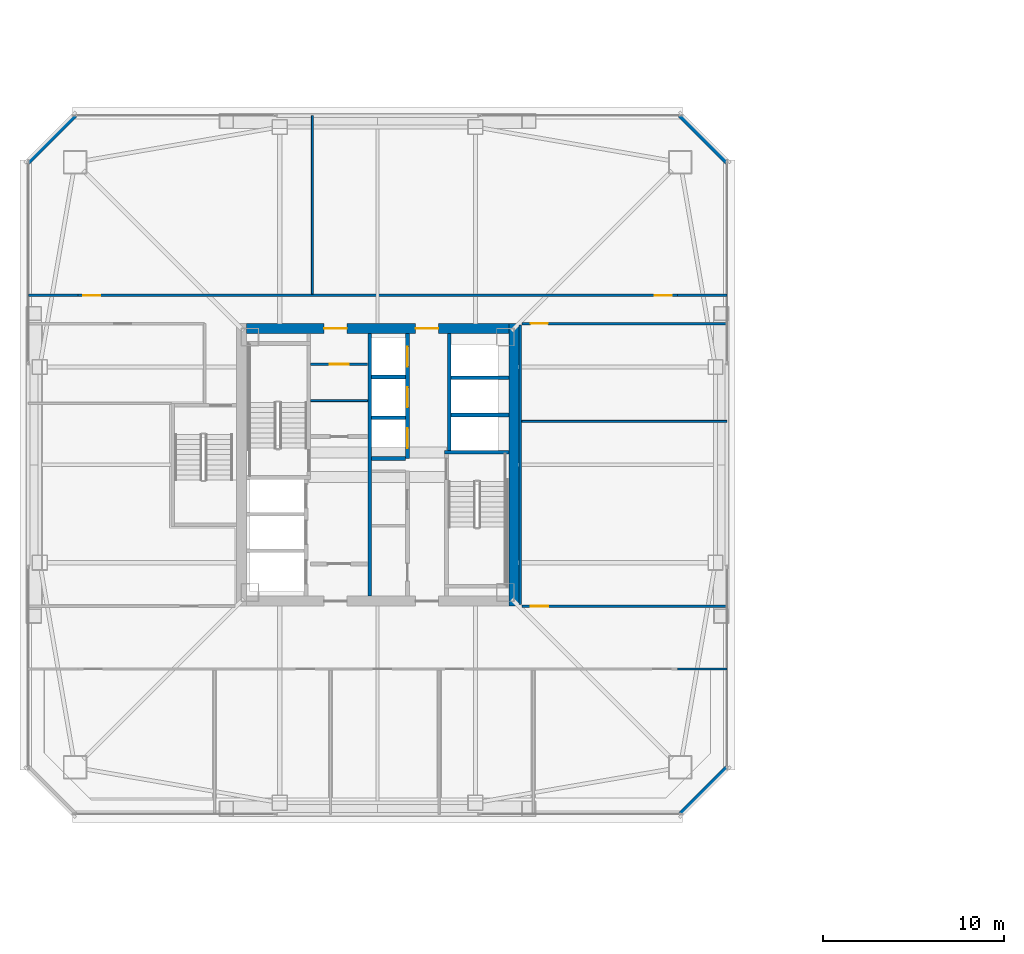
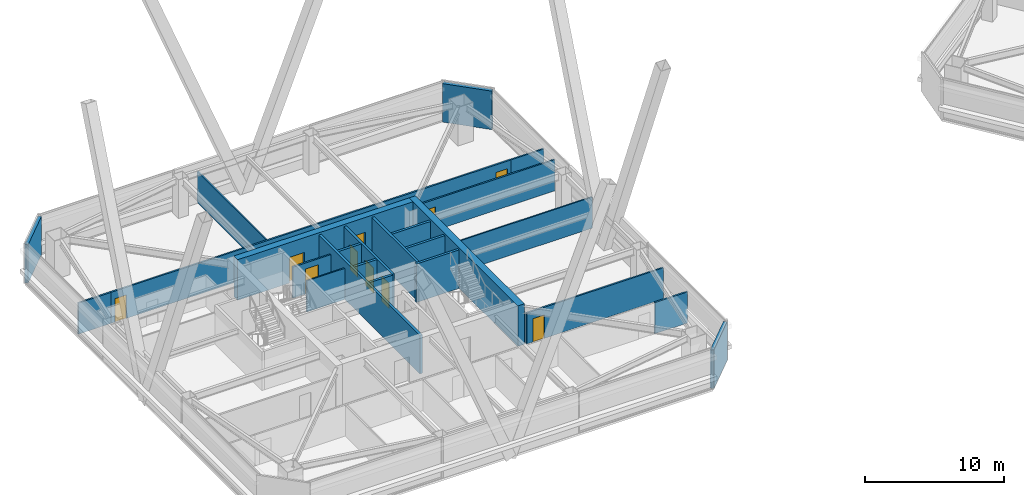
# One storey, part 41 of 50: 25 walls, 10 doors, 10 openings.
"""IFC4 building model written with IfcOpenShell, lengths in metres."""

from ifc_helpers import new_model, si_unit, direction, frame, frame_2d, origin, place, context, subcontext, project, spatial, rectangle, extrude, material, layer, layer_set, type_object, element, fill, save


model = new_model("IFC4")

# Units and contexts
model_context = context("Model", 3, precision=1e-05, world=origin(), true_north=direction((0.0, 1.0)))
body_context = subcontext(model_context, "Body", "Model", "MODEL_VIEW")
ifc_project = project(units=[si_unit("LENGTHUNIT", "METRE"), si_unit("AREAUNIT", "SQUARE_METRE"), si_unit("VOLUMEUNIT", "CUBIC_METRE"), si_unit("PLANEANGLEUNIT", "RADIAN"), si_unit("MASSUNIT", "GRAM", prefix="KILO")], contexts=[model_context])

# Site, building, storey
site_placement = place(None, origin())
site = spatial("IfcSite", under=ifc_project, at=site_placement, CompositionType="ELEMENT")
building_placement = place(site_placement, origin())
building = spatial("IfcBuilding", under=site, at=building_placement, Name="Tashvorn Skyway Center", CompositionType="ELEMENT")
storey_placement = place(building_placement, frame((0.0, 0.0, 114.39990234375)))
storey = spatial("IfcBuildingStorey", under=building, at=storey_placement, Name="L30", CompositionType="ELEMENT", Elevation=114.39990234375)

# Wall
ifc_material_1 = material(Name="Concrete C60/75", Category="concrete")
ifc_layer_1 = layer(ifc_material_1, 0.550048828125)
ifc_layer_set_1 = layer_set([ifc_layer_1], Name="Concrete C60/75")
wall_type_1 = type_object("IfcWallType", Name="WALL-CORE-550", PredefinedType="SHEAR", material=ifc_layer_set_1)
wall_1_placement = place(storey_placement, frame((49.52490234375, 39.800048828125, 0.0), z_axis=(0.0, 0.0, 1.0), x_axis=(0.0, -1.0, 0.0)))
element("IfcWall", 1, at=wall_1_placement, inside=storey, type_object=wall_type_1, Name="Tower 1 L30 East Core Shear Wall", PredefinedType="SHEAR", context=body_context, shape_type="SweptSolid", body=[
    extrude(rectangle(XDim=15.60009765625, YDim=0.550048828125, at=frame_2d((7.800048828125, 0.0))), origin(), (0.0, 0.0, 1.0), 3.550048828125),
])

# Wall, openings, doors
wall_2_placement = place(storey_placement, frame((34.75, 39.52490234375, 0.0), z_axis=(0.0, 0.0, 1.0), x_axis=(1.0, 0.0, 0.0)))
wall_2 = element("IfcWall", 2, at=wall_2_placement, inside=storey, type_object=wall_type_1, Name="Tower 1 L30 North Core Shear Wall", PredefinedType="SHEAR", context=body_context, shape_type="SweptSolid", body=[
    extrude(rectangle(XDim=14.5, YDim=0.550048828125, at=frame_2d((7.25, 0.0))), origin(), (0.0, 0.0, 1.0), 3.550048828125),
])
opening_1_placement = place(wall_2_placement, frame((4.300048828125, 0.0, 0.0)))
opening_1 = element("IfcOpeningElement", 3, at=opening_1_placement, cuts=wall_2, Name="Opening D-FFL-1250", PredefinedType="OPENING", context=body_context, shape_type="SweptSolid", body=[
    extrude(rectangle(XDim=1.25, YDim=2.25, at=frame_2d((0.625, 1.125))), frame((0.0, 0.284912109375, 0.0), z_axis=(0.0, -1.0, 0.0), x_axis=(1.0, 0.0, 0.0)), (0.0, 0.0, 1.0), 0.570068359375),
])
opening_2_placement = place(wall_2_placement, frame((9.35009765625, 0.0, 0.0)))
opening_2 = element("IfcOpeningElement", 4, at=opening_2_placement, cuts=wall_2, Name="Opening D-FFL-1250", PredefinedType="OPENING", context=body_context, shape_type="SweptSolid", body=[
    extrude(rectangle(XDim=1.25, YDim=2.25, at=frame_2d((0.625, 1.125))), frame((0.0, 0.284912109375, 0.0), z_axis=(0.0, -1.0, 0.0), x_axis=(1.0, 0.0, 0.0)), (0.0, 0.0, 1.0), 0.570068359375),
])
ifc_material_2 = material(Name="Hollow galvanized steel fire door assembly", Category="steel")
door_type_1 = type_object("IfcDoorType", Name="DOOR-FFL-1250", OperationType="NOTDEFINED", PredefinedType="DOOR", material=ifc_material_2)
door_1_placement = place(opening_1_placement, origin())
door_1 = element("IfcDoor", 5, at=door_1_placement, inside=storey, type_object=door_type_1, Name="Tower 1 L30 Core North Service Lobby Door", OperationType="SINGLE_SWING_LEFT", OverallHeight=2.25, OverallWidth=1.25, PredefinedType="DOOR", context=body_context, shape_type="SweptSolid", body=[
    extrude(rectangle(XDim=1.25, YDim=2.25, at=frame_2d((0.625, 1.125))), frame((0.0, 0.02490234375, 0.0), z_axis=(0.0, -1.0, 0.0), x_axis=(1.0, 0.0, 0.0)), (0.0, 0.0, 1.0), 0.050048828125),
])
fill(opening_1, door_1)
door_2_placement = place(opening_2_placement, origin())
door_2 = element("IfcDoor", 6, at=door_2_placement, inside=storey, type_object=door_type_1, Name="Tower 1 L30 Core North Lift Lobby Door", OperationType="SINGLE_SWING_RIGHT", OverallHeight=2.25, OverallWidth=1.25, PredefinedType="DOOR", context=body_context, shape_type="SweptSolid", body=[
    extrude(rectangle(XDim=1.25, YDim=2.25, at=frame_2d((0.625, 1.125))), frame((0.0, 0.02490234375, 0.0), z_axis=(0.0, -1.0, 0.0), x_axis=(1.0, 0.0, 0.0)), (0.0, 0.0, 1.0), 0.050048828125),
])
fill(opening_2, door_2)

# Walls
ifc_material_3 = material(Name="Precast concrete C40/50", Category="concrete")
ifc_layer_2 = layer(ifc_material_3, 0.280029296875)
ifc_layer_set_2 = layer_set([ifc_layer_2], Name="Precast concrete C40/50")
wall_type_2 = type_object("IfcWallType", Name="WALL-EXT-280", PredefinedType="SOLIDWALL", material=ifc_layer_set_2)
for number, where, z_axis, x_axis, name in (
    (7, (22.699951171875, 48.699951171875, 0.0), (0.0, 0.0, 1.0), (0.707106781187, 0.707106781187, 0.0), "Tower 1 L30 NW Precast Chamfer Wall"),
    (8, (58.699951171875, 51.300048828125, 0.0), (0.0, 0.0, 1.0), (0.707106781187, -0.707106781187, 0.0), "Tower 1 L30 NE Precast Chamfer Wall"),
    (9, (61.300048828125, 15.300048828125, 0.0), (0.0, 0.0, 1.0), (-0.707106781187, -0.707106781187, 0.0), "Tower 1 L30 SE Precast Chamfer Wall"),
):
    element("IfcWall", number, at=place(storey_placement, frame(where, z_axis=z_axis, x_axis=x_axis)), inside=storey, type_object=wall_type_2, Name=name, PredefinedType="SOLIDWALL", context=body_context, shape_type="SweptSolid", body=[
        extrude(rectangle(XDim=3.677001953125, YDim=0.280029296875, at=frame_2d((1.83837890625, 0.0))), origin(), (0.0, 0.0, 1.0), 3.3701171875),
    ])
ifc_material_4 = material(Name="Gypsum board on cold-formed steel stud framing", Category="steel")
ifc_layer_3 = layer(ifc_material_4, 0.110107421875)
ifc_layer_set_3 = layer_set([ifc_layer_3], Name="Gypsum board on cold-formed steel stud framing")
wall_type_3 = type_object("IfcWallType", Name="WALL-PART-110", PredefinedType="PARTITIONING", material=ifc_layer_set_3)
wall_3_placement = place(storey_placement, frame((38.39990234375, 41.429931640625, 0.0), z_axis=(0.0, 0.0, 1.0), x_axis=(0.0, 1.0, 0.0)))
element("IfcWall", 10, at=wall_3_placement, inside=storey, type_object=wall_type_3, Name="Tower 1 L30 North Suite Partition 1", PredefinedType="PARTITIONING", context=body_context, shape_type="SweptSolid", body=[
    extrude(rectangle(XDim=9.85009765625, YDim=0.110107421875, at=frame_2d((4.925048828125, 0.0))), origin(), (0.0, 0.0, 1.0), 2.72314453125),
])
wall_4_placement = place(storey_placement, frame((49.9599609375, 34.39990234375, 0.0), z_axis=(0.0, 0.0, 1.0), x_axis=(1.0, 0.0, 0.0)))
element("IfcWall", 11, at=wall_4_placement, inside=storey, type_object=wall_type_3, Name="Tower 1 L30 East Mid Partition", PredefinedType="PARTITIONING", context=body_context, shape_type="SweptSolid", body=[
    extrude(rectangle(XDim=11.320068359375, YDim=0.110107421875, at=frame_2d((5.66015625, 0.0))), origin(), (0.0, 0.0, 1.0), 2.72314453125),
])

# Wall, openings, doors
ifc_layer_4 = layer(ifc_material_4, 0.135009765625)
ifc_layer_set_4 = layer_set([ifc_layer_4], Name="Gypsum board on cold-formed steel stud framing")
wall_type_4 = type_object("IfcWallType", Name="WALL-PART-135", PredefinedType="PARTITIONING", material=ifc_layer_set_4)
wall_5_placement = place(storey_placement, frame((25.449951171875, 41.35009765625, 0.0), z_axis=(0.0, 0.0, 1.0), x_axis=(1.0, 0.0, 0.0)))
wall_5 = element("IfcWall", 12, at=wall_5_placement, inside=storey, type_object=wall_type_4, Name="Tower 1 L30 North Suite Wall", PredefinedType="PARTITIONING", context=body_context, shape_type="SweptSolid", body=[
    extrude(rectangle(XDim=33.10009765625, YDim=0.135009765625, at=frame_2d((16.550048828125, 0.0))), origin(), (0.0, 0.0, 1.0), 2.72314453125),
])
opening_3_placement = place(wall_5_placement, frame((0.300048828125, 0.0, 0.0)))
opening_3 = element("IfcOpeningElement", 13, at=opening_3_placement, cuts=wall_5, Name="Opening D-INT-950", PredefinedType="OPENING", context=body_context, shape_type="SweptSolid", body=[
    extrude(rectangle(XDim=0.949951171875, YDim=2.050048828125, at=frame_2d((0.47509765625, 1.02490234375))), frame((0.0, 0.077392578125, 0.0), z_axis=(0.0, -1.0, 0.0), x_axis=(1.0, 0.0, 0.0)), (0.0, 0.0, 1.0), 0.155029296875),
])
opening_4_placement = place(wall_5_placement, frame((31.85009765625, 0.0, 0.0)))
opening_4 = element("IfcOpeningElement", 14, at=opening_4_placement, cuts=wall_5, Name="Opening D-INT-950", PredefinedType="OPENING", context=body_context, shape_type="SweptSolid", body=[
    extrude(rectangle(XDim=0.949951171875, YDim=2.050048828125, at=frame_2d((0.47509765625, 1.02490234375))), frame((0.0, 0.077392578125, 0.0), z_axis=(0.0, -1.0, 0.0), x_axis=(1.0, 0.0, 0.0)), (0.0, 0.0, 1.0), 0.155029296875),
])
ifc_material_5 = material(Name="Solid-core architectural oak veneer door")
door_type_2 = type_object("IfcDoorType", Name="DOOR-INT-950", OperationType="NOTDEFINED", PredefinedType="DOOR", material=ifc_material_5)
door_3_placement = place(opening_3_placement, origin())
door_3 = element("IfcDoor", 15, at=door_3_placement, inside=storey, type_object=door_type_2, Name="Tower 1 L30 Executive Study Lounge Door", OperationType="SINGLE_SWING_LEFT", OverallHeight=2.050048828125, OverallWidth=0.949951171875, PredefinedType="DOOR", context=body_context, shape_type="SweptSolid", body=[
    extrude(rectangle(XDim=0.949951171875, YDim=2.050048828125, at=frame_2d((0.47509765625, 1.02490234375))), frame((0.0, 0.02490234375, 0.0), z_axis=(0.0, -1.0, 0.0), x_axis=(1.0, 0.0, 0.0)), (0.0, 0.0, 1.0), 0.050048828125),
])
fill(opening_3, door_3)
door_4_placement = place(opening_4_placement, origin())
door_4 = element("IfcDoor", 16, at=door_4_placement, inside=storey, type_object=door_type_2, Name="Tower 1 L30 Executive Study Lounge Door", OperationType="SINGLE_SWING_RIGHT", OverallHeight=2.050048828125, OverallWidth=0.949951171875, PredefinedType="DOOR", context=body_context, shape_type="SweptSolid", body=[
    extrude(rectangle(XDim=0.949951171875, YDim=2.050048828125, at=frame_2d((0.47509765625, 1.02490234375))), frame((0.0, 0.02490234375, 0.0), z_axis=(0.0, -1.0, 0.0), x_axis=(1.0, 0.0, 0.0)), (0.0, 0.0, 1.0), 0.050048828125),
])
fill(opening_4, door_4)

# Walls
for number, where, z_axis, x_axis, name in (
    (17, (22.719970703125, 41.35009765625, 0.0), (0.0, 0.0, 1.0), (1.0, 0.0, 0.0), "Tower 1 L30 North-West Suite South Wall"),
    (18, (58.550048828125, 41.35009765625, 0.0), (0.0, 0.0, 1.0), (1.0, 0.0, 0.0), "Tower 1 L30 North-East Suite South Wall"),
    (19, (58.550048828125, 20.72998046875, 0.0), (0.0, 0.0, 1.0), (1.0, 0.0, 0.0), "Tower 1 L30 South-East Suite North Wall"),
):
    element("IfcWall", number, at=place(storey_placement, frame(where, z_axis=z_axis, x_axis=x_axis)), inside=storey, type_object=wall_type_4, Name=name, PredefinedType="PARTITIONING", context=body_context, shape_type="SweptSolid", body=[
        extrude(rectangle(XDim=2.72998046875, YDim=0.135009765625, at=frame_2d((1.364990234375, 0.0))), origin(), (0.0, 0.0, 1.0), 2.72314453125),
    ])
wall_6_placement = place(storey_placement, frame((49.8798828125, 39.719970703125, 0.0), z_axis=(0.0, 0.0, 1.0), x_axis=(0.0, -1.0, 0.0)))
element("IfcWall", 20, at=wall_6_placement, inside=storey, type_object=wall_type_4, Name="Tower 1 L30 East Inner Suite Wall", PredefinedType="PARTITIONING", context=body_context, shape_type="SweptSolid", body=[
    extrude(rectangle(XDim=15.43994140625, YDim=0.135009765625, at=frame_2d((7.719970703125, 0.0))), origin(), (0.0, 0.0, 1.0), 2.72314453125),
])

# Wall, opening, door
wall_7_placement = place(storey_placement, frame((61.280029296875, 39.800048828125, 0.0), z_axis=(0.0, 0.0, 1.0), x_axis=(-1.0, 0.0, 0.0)))
wall_7 = element("IfcWall", 21, at=wall_7_placement, inside=storey, type_object=wall_type_4, Name="Tower 1 L30 East Suite North Wall", PredefinedType="PARTITIONING", context=body_context, shape_type="SweptSolid", body=[
    extrude(rectangle(XDim=11.320068359375, YDim=0.135009765625, at=frame_2d((5.66015625, 0.0))), origin(), (0.0, 0.0, 1.0), 2.72314453125),
])
opening_5_placement = place(wall_7_placement, frame((9.8798828125, 0.0, 0.0)))
opening_5 = element("IfcOpeningElement", 22, at=opening_5_placement, cuts=wall_7, Name="Opening D-INT-950", PredefinedType="OPENING", context=body_context, shape_type="SweptSolid", body=[
    extrude(rectangle(XDim=0.949951171875, YDim=2.050048828125, at=frame_2d((0.47509765625, 1.02490234375))), frame((0.0, 0.077392578125, 0.0), z_axis=(0.0, -1.0, 0.0), x_axis=(1.0, 0.0, 0.0)), (0.0, 0.0, 1.0), 0.155029296875),
])
door_5_placement = place(opening_5_placement, origin())
door_5 = element("IfcDoor", 23, at=door_5_placement, inside=storey, type_object=door_type_2, Name="Tower 1 L30 Open Plan Office Door", OperationType="SINGLE_SWING_RIGHT", OverallHeight=2.050048828125, OverallWidth=0.949951171875, PredefinedType="DOOR", context=body_context, shape_type="SweptSolid", body=[
    extrude(rectangle(XDim=0.949951171875, YDim=2.050048828125, at=frame_2d((0.47509765625, 1.02490234375))), frame((0.0, 0.02490234375, 0.0), z_axis=(0.0, -1.0, 0.0), x_axis=(1.0, 0.0, 0.0)), (0.0, 0.0, 1.0), 0.050048828125),
])
fill(opening_5, door_5)

wall_8_placement = place(storey_placement, frame((49.9599609375, 24.199951171875, 0.0), z_axis=(0.0, 0.0, 1.0), x_axis=(1.0, 0.0, 0.0)))
wall_8 = element("IfcWall", 24, at=wall_8_placement, inside=storey, type_object=wall_type_4, Name="Tower 1 L30 East Suite South Wall", PredefinedType="PARTITIONING", context=body_context, shape_type="SweptSolid", body=[
    extrude(rectangle(XDim=11.320068359375, YDim=0.135009765625, at=frame_2d((5.66015625, 0.0))), origin(), (0.0, 0.0, 1.0), 2.72314453125),
])
opening_6_placement = place(wall_8_placement, frame((0.5, 0.0, 0.0)))
opening_6 = element("IfcOpeningElement", 25, at=opening_6_placement, cuts=wall_8, Name="Opening D-INT-950", PredefinedType="OPENING", context=body_context, shape_type="SweptSolid", body=[
    extrude(rectangle(XDim=0.949951171875, YDim=2.050048828125, at=frame_2d((0.47509765625, 1.02490234375))), frame((0.0, 0.077392578125, 0.0), z_axis=(0.0, -1.0, 0.0), x_axis=(1.0, 0.0, 0.0)), (0.0, 0.0, 1.0), 0.155029296875),
])
door_6_placement = place(opening_6_placement, origin())
door_6 = element("IfcDoor", 26, at=door_6_placement, inside=storey, type_object=door_type_2, Name="Tower 1 L30 Public Restroom Door", OperationType="SINGLE_SWING_LEFT", OverallHeight=2.050048828125, OverallWidth=0.949951171875, PredefinedType="DOOR", context=body_context, shape_type="SweptSolid", body=[
    extrude(rectangle(XDim=0.949951171875, YDim=2.050048828125, at=frame_2d((0.47509765625, 1.02490234375))), frame((0.0, 0.02490234375, 0.0), z_axis=(0.0, -1.0, 0.0), x_axis=(1.0, 0.0, 0.0)), (0.0, 0.0, 1.0), 0.050048828125),
])
fill(opening_6, door_6)

# Wall
ifc_layer_5 = layer(ifc_material_4, 0.110107421875)
ifc_layer_set_5 = layer_set([ifc_layer_5], Name="Gypsum board on cold-formed steel stud framing")
wall_type_5 = type_object("IfcWallType", Name="WALL-RATED-110", PredefinedType="PARTITIONING", material=ifc_layer_set_5)
wall_9_placement = place(storey_placement, frame((38.300048828125, 35.550048828125, 0.0), z_axis=(0.0, 0.0, 1.0), x_axis=(1.0, 0.0, 0.0)))
element("IfcWall", 27, at=wall_9_placement, inside=storey, type_object=wall_type_5, Name="Tower 1 L30 Core Transverse Wall", PredefinedType="PARTITIONING", context=body_context, shape_type="SweptSolid", body=[
    extrude(rectangle(XDim=3.14990234375, YDim=0.110107421875, at=frame_2d((1.574951171875, 0.0))), origin(), (0.0, 0.0, 1.0), 2.72314453125),
])

# Wall, opening, door
ifc_layer_6 = layer(ifc_material_4, 0.135009765625)
ifc_layer_set_6 = layer_set([ifc_layer_6], Name="Gypsum board on cold-formed steel stud framing")
wall_type_6 = type_object("IfcWallType", Name="WALL-RATED-135", PredefinedType="PARTITIONING", material=ifc_layer_set_6)
wall_10_placement = place(storey_placement, frame((38.300048828125, 37.550048828125, 0.0), z_axis=(0.0, 0.0, 1.0), x_axis=(1.0, 0.0, 0.0)))
wall_10 = element("IfcWall", 28, at=wall_10_placement, inside=storey, type_object=wall_type_6, Name="Tower 1 L30 Core Service Lobby Wall", PredefinedType="PARTITIONING", context=body_context, shape_type="SweptSolid", body=[
    extrude(rectangle(XDim=3.14990234375, YDim=0.135009765625, at=frame_2d((1.574951171875, 0.0))), origin(), (0.0, 0.0, 1.0), 2.72314453125),
])
opening_7_placement = place(wall_10_placement, frame((1.050048828125, 0.0, 0.0)))
opening_7 = element("IfcOpeningElement", 29, at=opening_7_placement, cuts=wall_10, Name="Opening D-RT-1050", PredefinedType="OPENING", context=body_context, shape_type="SweptSolid", body=[
    extrude(rectangle(XDim=1.050048828125, YDim=2.199951171875, at=frame_2d((0.52490234375, 1.10009765625))), frame((0.0, 0.077392578125, 0.0), z_axis=(0.0, -1.0, 0.0), x_axis=(1.0, 0.0, 0.0)), (0.0, 0.0, 1.0), 0.155029296875),
])
door_type_3 = type_object("IfcDoorType", Name="DOOR-RATED-1050", OperationType="NOTDEFINED", PredefinedType="DOOR", material=ifc_material_2)
door_7_placement = place(opening_7_placement, origin())
door_7 = element("IfcDoor", 30, at=door_7_placement, inside=storey, type_object=door_type_3, Name="Tower 1 L30 Core Accessible WC Door", OperationType="SINGLE_SWING_RIGHT", OverallHeight=2.199951171875, OverallWidth=1.050048828125, PredefinedType="DOOR", context=body_context, shape_type="SweptSolid", body=[
    extrude(rectangle(XDim=1.050048828125, YDim=2.199951171875, at=frame_2d((0.52490234375, 1.10009765625))), frame((0.0, 0.02490234375, 0.0), z_axis=(0.0, -1.0, 0.0), x_axis=(1.0, 0.0, 0.0)), (0.0, 0.0, 1.0), 0.050048828125),
])
fill(opening_7, door_7)

# Walls
ifc_material_6 = material(Name="Concrete C40/50", Category="concrete")
ifc_layer_7 = layer(ifc_material_6, 0.199951171875)
ifc_layer_set_7 = layer_set([ifc_layer_7], Name="Concrete C40/50")
wall_type_7 = type_object("IfcWallType", Name="WALL-SHAFT-200", PredefinedType="SOLIDWALL", material=ifc_layer_set_7)
for number, where, z_axis, x_axis, name in (
    (31, (46.050048828125, 34.75, 0.0), (0.0, 0.0, 1.0), (1.0, 0.0, 0.0), "Tower 1 L30 High-Rise Shaft Divider"),
    (32, (46.050048828125, 36.800048828125, 0.0), (0.0, 0.0, 1.0), (1.0, 0.0, 0.0), "Tower 1 L30 High-Rise Shaft Divider"),
):
    element("IfcWall", number, at=place(storey_placement, frame(where, z_axis=z_axis, x_axis=x_axis)), inside=storey, type_object=wall_type_7, Name=name, PredefinedType="SOLIDWALL", context=body_context, shape_type="SweptSolid", body=[
        extrude(rectangle(XDim=3.199951171875, YDim=0.199951171875, at=frame_2d((1.60009765625, 0.0))), origin(), (0.0, 0.0, 1.0), 3.3701171875),
    ])

# Wall, openings, doors
wall_11_placement = place(storey_placement, frame((43.64990234375, 32.35009765625, 0.0), z_axis=(0.0, 0.0, 1.0), x_axis=(0.0, 1.0, 0.0)))
wall_11 = element("IfcWall", 33, at=wall_11_placement, inside=storey, type_object=wall_type_7, Name="Tower 1 L30 Mid-Rise Core Wall", PredefinedType="SOLIDWALL", context=body_context, shape_type="SweptSolid", body=[
    extrude(rectangle(XDim=6.89990234375, YDim=0.199951171875, at=frame_2d((3.449951171875, 0.0))), origin(), (0.0, 0.0, 1.0), 3.3701171875),
])
opening_8_placement = place(wall_11_placement, frame((0.574951171875, 0.0, 0.0)))
opening_8 = element("IfcOpeningElement", 34, at=opening_8_placement, cuts=wall_11, Name="Opening LD-MR-T1-1-L30", PredefinedType="OPENING", context=body_context, shape_type="SweptSolid", body=[
    extrude(rectangle(XDim=1.10009765625, YDim=2.199951171875, at=frame_2d((0.550048828125, 1.10009765625))), frame((0.0, 0.10986328125, 0.0), z_axis=(0.0, -1.0, 0.0), x_axis=(1.0, 0.0, 0.0)), (0.0, 0.0, 1.0), 0.219970703125),
])
opening_9_placement = place(wall_11_placement, frame((2.824951171875, 0.0, 0.0)))
opening_9 = element("IfcOpeningElement", 35, at=opening_9_placement, cuts=wall_11, Name="Opening LD-MR-T1-2-L30", PredefinedType="OPENING", context=body_context, shape_type="SweptSolid", body=[
    extrude(rectangle(XDim=1.10009765625, YDim=2.199951171875, at=frame_2d((0.550048828125, 1.10009765625))), frame((0.0, 0.10986328125, 0.0), z_axis=(0.0, -1.0, 0.0), x_axis=(1.0, 0.0, 0.0)), (0.0, 0.0, 1.0), 0.219970703125),
])
opening_10_placement = place(wall_11_placement, frame((5.074951171875, 0.0, 0.0)))
opening_10 = element("IfcOpeningElement", 36, at=opening_10_placement, cuts=wall_11, Name="Opening LD-MR-T1-3-L30", PredefinedType="OPENING", context=body_context, shape_type="SweptSolid", body=[
    extrude(rectangle(XDim=1.10009765625, YDim=2.199951171875, at=frame_2d((0.550048828125, 1.10009765625))), frame((0.0, 0.10986328125, 0.0), z_axis=(0.0, -1.0, 0.0), x_axis=(1.0, 0.0, 0.0)), (0.0, 0.0, 1.0), 0.219970703125),
])
ifc_material_7 = material(Name="Stainless steel landing door", Category="steel")
door_type_4 = type_object("IfcDoorType", Name="DOOR-LIFT-1100", OperationType="SLIDING_TO_LEFT", PredefinedType="DOOR", material=ifc_material_7)
door_8_placement = place(opening_8_placement, origin())
door_8 = element("IfcDoor", 37, at=door_8_placement, inside=storey, type_object=door_type_4, Name="Lift MR-T1-1 L30 Landing Door", OperationType="SLIDING_TO_LEFT", OverallHeight=2.199951171875, OverallWidth=1.10009765625, PredefinedType="DOOR", context=body_context, shape_type="SweptSolid", body=[
    extrude(rectangle(XDim=1.10009765625, YDim=2.199951171875, at=frame_2d((0.550048828125, 1.10009765625))), frame((0.0, 0.02490234375, 0.0), z_axis=(0.0, -1.0, 0.0), x_axis=(1.0, 0.0, 0.0)), (0.0, 0.0, 1.0), 0.050048828125),
])
fill(opening_8, door_8)
door_9_placement = place(opening_9_placement, origin())
door_9 = element("IfcDoor", 38, at=door_9_placement, inside=storey, type_object=door_type_4, Name="Lift MR-T1-2 L30 Landing Door", OperationType="SLIDING_TO_LEFT", OverallHeight=2.199951171875, OverallWidth=1.10009765625, PredefinedType="DOOR", context=body_context, shape_type="SweptSolid", body=[
    extrude(rectangle(XDim=1.10009765625, YDim=2.199951171875, at=frame_2d((0.550048828125, 1.10009765625))), frame((0.0, 0.02490234375, 0.0), z_axis=(0.0, -1.0, 0.0), x_axis=(1.0, 0.0, 0.0)), (0.0, 0.0, 1.0), 0.050048828125),
])
fill(opening_9, door_9)
door_10_placement = place(opening_10_placement, origin())
door_10 = element("IfcDoor", 39, at=door_10_placement, inside=storey, type_object=door_type_4, Name="Lift MR-T1-3 L30 Landing Door", OperationType="SLIDING_TO_LEFT", OverallHeight=2.199951171875, OverallWidth=1.10009765625, PredefinedType="DOOR", context=body_context, shape_type="SweptSolid", body=[
    extrude(rectangle(XDim=1.10009765625, YDim=2.199951171875, at=frame_2d((0.550048828125, 1.10009765625))), frame((0.0, 0.02490234375, 0.0), z_axis=(0.0, -1.0, 0.0), x_axis=(1.0, 0.0, 0.0)), (0.0, 0.0, 1.0), 0.050048828125),
])
fill(opening_10, door_10)

# Walls
for number, where, z_axis, x_axis, name in (
    (40, (41.669921875, 32.35009765625, 0.0), (0.0, 0.0, 1.0), (1.0, 0.0, 0.0), "Tower 1 L30 Mid-Rise Shaft Divider"),
    (41, (41.669921875, 34.60009765625, 0.0), (0.0, 0.0, 1.0), (1.0, 0.0, 0.0), "Tower 1 L30 Mid-Rise Shaft Divider"),
    (42, (41.669921875, 36.85009765625, 0.0), (0.0, 0.0, 1.0), (1.0, 0.0, 0.0), "Tower 1 L30 Mid-Rise Shaft Divider"),
):
    element("IfcWall", number, at=place(storey_placement, frame(where, z_axis=z_axis, x_axis=x_axis)), inside=storey, type_object=wall_type_7, Name=name, PredefinedType="SOLIDWALL", context=body_context, shape_type="SweptSolid", body=[
        extrude(rectangle(XDim=1.880126953125, YDim=0.199951171875, at=frame_2d((0.93994140625, 0.0))), origin(), (0.0, 0.0, 1.0), 3.3701171875),
    ])
ifc_layer_8 = layer(ifc_material_6, 0.199951171875)
ifc_layer_set_8 = layer_set([ifc_layer_8], Name="Concrete C40/50")
wall_type_8 = type_object("IfcWallType", Name="WALL-STSHF-200", PredefinedType="SHEAR", material=ifc_layer_set_8)
wall_12_placement = place(storey_placement, frame((45.699951171875, 32.699951171875, 0.0), z_axis=(0.0, 0.0, 1.0), x_axis=(1.0, 0.0, 0.0)))
element("IfcWall", 43, at=wall_12_placement, inside=storey, type_object=wall_type_8, Name="Tower 1 L30 Stair 2 North Wall", PredefinedType="SHEAR", context=body_context, shape_type="SweptSolid", body=[
    extrude(rectangle(XDim=3.550048828125, YDim=0.199951171875, at=frame_2d((1.77490234375, 0.0))), origin(), (0.0, 0.0, 1.0), 3.3701171875),
])
wall_13_placement = place(storey_placement, frame((41.56005859375, 24.75, 0.0), z_axis=(0.0, 0.0, 1.0), x_axis=(0.0, 1.0, 0.0)))
element("IfcWall", 44, at=wall_13_placement, inside=storey, type_object=wall_type_8, Name="Tower 1 L30 Firefighting Lobby East Smoke Barrier", PredefinedType="SHEAR", context=body_context, shape_type="SweptSolid", body=[
    extrude(rectangle(XDim=14.5, YDim=0.199951171875, at=frame_2d((7.25, 0.0))), origin(), (0.0, 0.0, 1.0), 3.3701171875),
])
wall_14_placement = place(storey_placement, frame((45.949951171875, 39.25, 0.0), z_axis=(0.0, 0.0, 1.0), x_axis=(0.0, -1.0, 0.0)))
element("IfcWall", 45, at=wall_14_placement, inside=storey, type_object=wall_type_8, Name="Tower 1 L30 High-Rise Lift Shaft Front Wall", PredefinedType="SHEAR", context=body_context, shape_type="SweptSolid", body=[
    extrude(rectangle(XDim=6.449951171875, YDim=0.199951171875, at=frame_2d((3.22509765625, 0.0))), origin(), (0.0, 0.0, 1.0), 3.3701171875),
])

save(model, "model.ifc")
